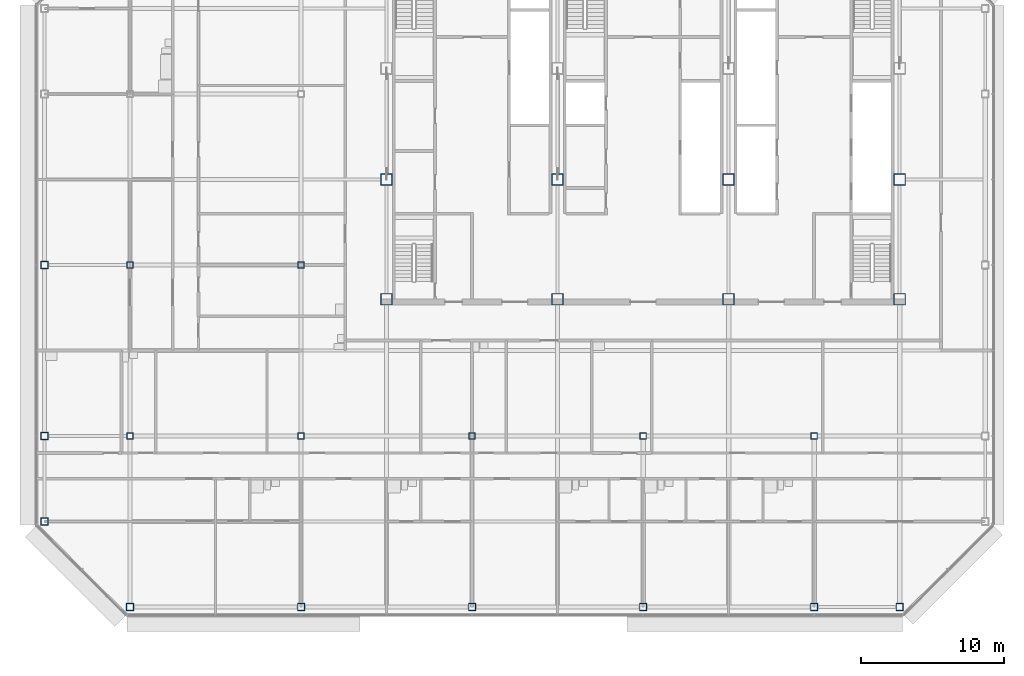
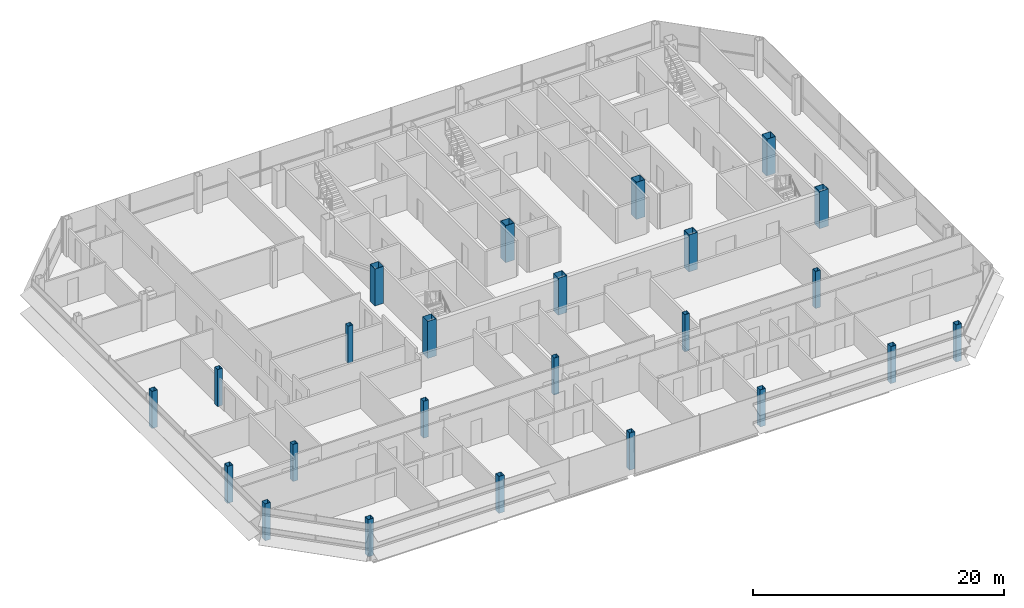
# One storey, part 1 of 28: 24 columns.
"""IFC4 building model written with IfcOpenShell, lengths in metres."""

from ifc_helpers import new_model, si_unit, direction, frame, origin, origin_2d, place, context, subcontext, project, spatial, hollow_rectangle, extrude, material, material_profile, profile_set, type_object, element, save


model = new_model("IFC4")

# Units and contexts
model_context = context("Model", 3, precision=1e-05, world=origin(), true_north=direction((0.0, 1.0)))
body_context = subcontext(model_context, "Body", "Model", "MODEL_VIEW")
ifc_project = project(units=[si_unit("LENGTHUNIT", "METRE"), si_unit("AREAUNIT", "SQUARE_METRE"), si_unit("VOLUMEUNIT", "CUBIC_METRE"), si_unit("PLANEANGLEUNIT", "RADIAN"), si_unit("MASSUNIT", "GRAM", prefix="KILO")], contexts=[model_context])

# Site, building, storey
site_placement = place(None, origin())
site = spatial("IfcSite", under=ifc_project, at=site_placement, CompositionType="ELEMENT")
building_placement = place(site_placement, origin())
building = spatial("IfcBuilding", under=site, at=building_placement, Name="Sorahane Residences", CompositionType="ELEMENT")
storey_placement = place(building_placement, frame((0.0, 0.0, 301.60009765625)))
storey = spatial("IfcBuildingStorey", under=building, at=storey_placement, Name="L71", CompositionType="ELEMENT", Elevation=301.60009765625)

# Columns
ifc_material_1 = material(Name="Steel Q355B", Category="steel")
ifc_material_profile_1 = material_profile(ifc_material_1, hollow_rectangle(XDim=0.449951171875, YDim=0.449951171875, WallThickness=0.02197265625, at=origin_2d()), Name="BOX 450x450x22")
ifc_profile_set_1 = profile_set([ifc_material_profile_1], Name="Steel Q355B")
column_type_1 = type_object("IfcColumnType", Name="Steel box column BOX 450x450x22 Q355B", PredefinedType="COLUMN", material=ifc_profile_set_1)
for number, where, z_axis, x_axis, name in (
    (1, (-12.0, 12.0, 0.0), (0.0, 0.0, 1.0), (1.0, 0.0, 0.0), "Column L71 m12/12"),
    (2, (-12.0, 24.0, 0.0), (0.0, 0.0, 1.0), (1.0, 0.0, 0.0), "Column L71 m12/24"),
    (3, (0.0, 12.0, 0.0), (0.0, 0.0, 1.0), (1.0, 0.0, 0.0), "Column L71 0/12"),
    (4, (0.0, 24.0, 0.0), (0.0, 0.0, 1.0), (1.0, 0.0, 0.0), "Column L71 0/24"),
    (5, (12.0, 12.0, 0.0), (0.0, 0.0, 1.0), (1.0, 0.0, 0.0), "Column L71 12/12"),
    (6, (24.0, 12.0, 0.0), (0.0, 0.0, 1.0), (1.0, 0.0, 0.0), "Column L71 24/12"),
    (7, (36.0, 12.0, 0.0), (0.0, 0.0, 1.0), (1.0, 0.0, 0.0), "Column L71 36/12"),
):
    element("IfcColumn", number, at=place(storey_placement, frame(where, z_axis=z_axis, x_axis=x_axis)), inside=storey, type_object=column_type_1, Name=name, PredefinedType="COLUMN", context=body_context, shape_type="SweptSolid", body=[
        extrude(hollow_rectangle(XDim=0.449951171875, YDim=0.449951171875, WallThickness=0.02197265625, at=origin_2d()), origin(), (0.0, 0.0, 1.0), 3.599853515625),
    ])
ifc_material_2 = material(Name="Steel Q355B", Category="steel")
ifc_material_profile_2 = material_profile(ifc_material_2, hollow_rectangle(XDim=0.5, YDim=0.5, WallThickness=0.02490234375, at=origin_2d()), Name="BOX 500x500x25")
ifc_profile_set_2 = profile_set([ifc_material_profile_2], Name="Steel Q355B")
column_type_2 = type_object("IfcColumnType", Name="Steel box column BOX 500x500x25 Q355B", PredefinedType="COLUMN", material=ifc_profile_set_2)
for number, where, z_axis, x_axis, name in (
    (8, (-18.0, 6.0, 0.0), (0.0, 0.0, 1.0), (1.0, 0.0, 0.0), "Column L71 m18/6"),
    (9, (-18.0, 12.0, 0.0), (0.0, 0.0, 1.0), (1.0, 0.0, 0.0), "Column L71 m18/12"),
    (10, (-18.0, 24.0, 0.0), (0.0, 0.0, 1.0), (1.0, 0.0, 0.0), "Column L71 m18/24"),
    (11, (-12.0, 0.0, 0.0), (0.0, 0.0, 1.0), (1.0, 0.0, 0.0), "Column L71 m12/0"),
    (12, (0.0, 0.0, 0.0), (0.0, 0.0, 1.0), (1.0, 0.0, 0.0), "Column L71 0/0"),
    (13, (12.0, 0.0, 0.0), (0.0, 0.0, 1.0), (1.0, 0.0, 0.0), "Column L71 12/0"),
    (14, (24.0, 0.0, 0.0), (0.0, 0.0, 1.0), (1.0, 0.0, 0.0), "Column L71 24/0"),
    (15, (36.0, 0.0, 0.0), (0.0, 0.0, 1.0), (1.0, 0.0, 0.0), "Column L71 36/0"),
    (16, (42.0, 0.0, 0.0), (0.0, 0.0, 1.0), (1.0, 0.0, 0.0), "Column L71 42/0"),
):
    element("IfcColumn", number, at=place(storey_placement, frame(where, z_axis=z_axis, x_axis=x_axis)), inside=storey, type_object=column_type_2, Name=name, PredefinedType="COLUMN", context=body_context, shape_type="SweptSolid", body=[
        extrude(hollow_rectangle(XDim=0.5, YDim=0.5, WallThickness=0.02490234375, at=origin_2d()), origin(), (0.0, 0.0, 1.0), 3.599853515625),
    ])
ifc_material_3 = material(Name="Steel Q355B", Category="steel")
ifc_material_profile_3 = material_profile(ifc_material_3, hollow_rectangle(XDim=0.800048828125, YDim=0.800048828125, WallThickness=0.02490234375, at=origin_2d()), Name="BOX 800x800x25")
ifc_profile_set_3 = profile_set([ifc_material_profile_3], Name="Steel Q355B")
column_type_3 = type_object("IfcColumnType", Name="Steel box column BOX 800x800x25 Q355B", PredefinedType="COLUMN", material=ifc_profile_set_3)
for number, where, z_axis, x_axis, name in (
    (17, (6.0, 21.60009765625, 0.0), (0.0, 0.0, 1.0), (1.0, 0.0, 0.0), "Column L71 6/21.6"),
    (18, (6.0, 30.0, 0.0), (0.0, 0.0, 1.0), (1.0, 0.0, 0.0), "Column L71 6/30"),
    (19, (18.0, 21.60009765625, 0.0), (0.0, 0.0, 1.0), (1.0, 0.0, 0.0), "Column L71 18/21.6"),
    (20, (18.0, 30.0, 0.0), (0.0, 0.0, 1.0), (1.0, 0.0, 0.0), "Column L71 18/30"),
    (21, (30.0, 21.60009765625, 0.0), (0.0, 0.0, 1.0), (1.0, 0.0, 0.0), "Column L71 30/21.6"),
    (22, (30.0, 30.0, 0.0), (0.0, 0.0, 1.0), (1.0, 0.0, 0.0), "Column L71 30/30"),
    (23, (42.0, 21.60009765625, 0.0), (0.0, 0.0, 1.0), (1.0, 0.0, 0.0), "Column L71 42/21.6"),
    (24, (42.0, 30.0, 0.0), (0.0, 0.0, 1.0), (1.0, 0.0, 0.0), "Column L71 42/30"),
):
    element("IfcColumn", number, at=place(storey_placement, frame(where, z_axis=z_axis, x_axis=x_axis)), inside=storey, type_object=column_type_3, Name=name, PredefinedType="COLUMN", context=body_context, shape_type="SweptSolid", body=[
        extrude(hollow_rectangle(XDim=0.800048828125, YDim=0.800048828125, WallThickness=0.02490234375, at=origin_2d()), origin(), (0.0, 0.0, 1.0), 3.599853515625),
    ])

save(model, "model.ifc")
